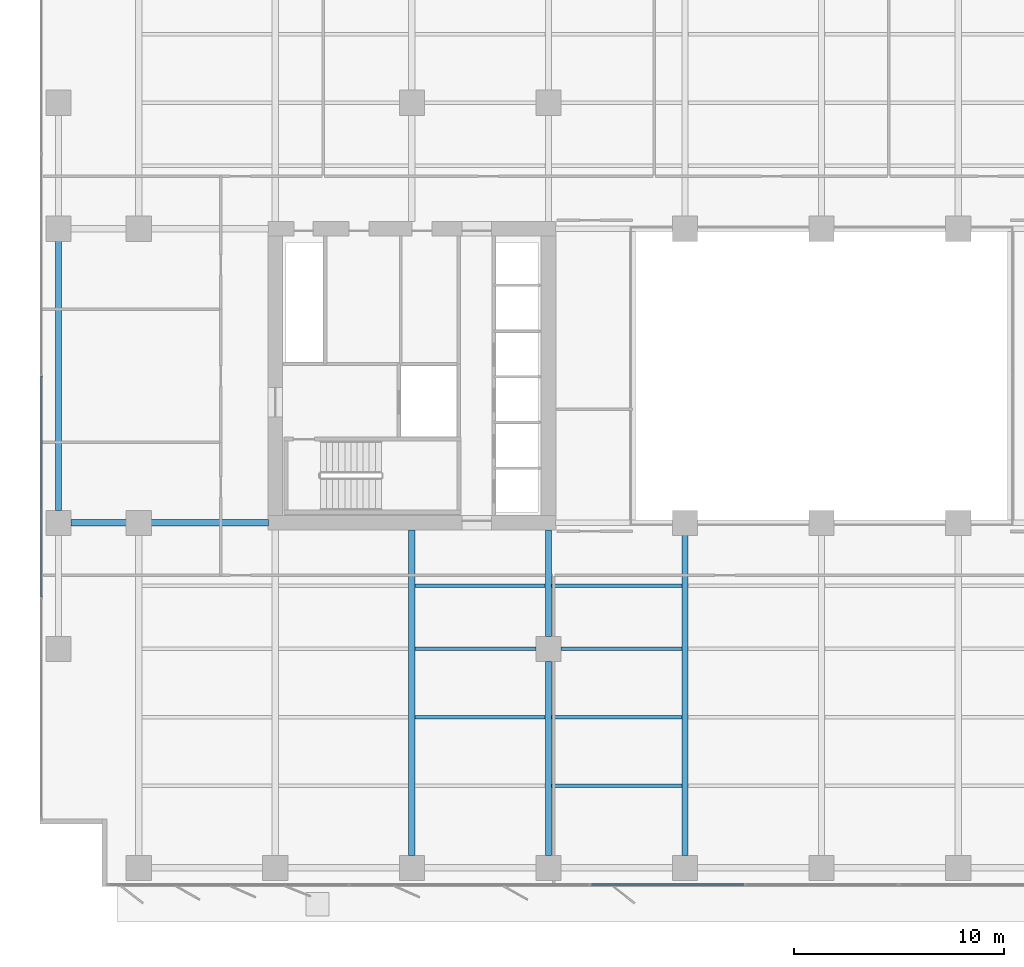
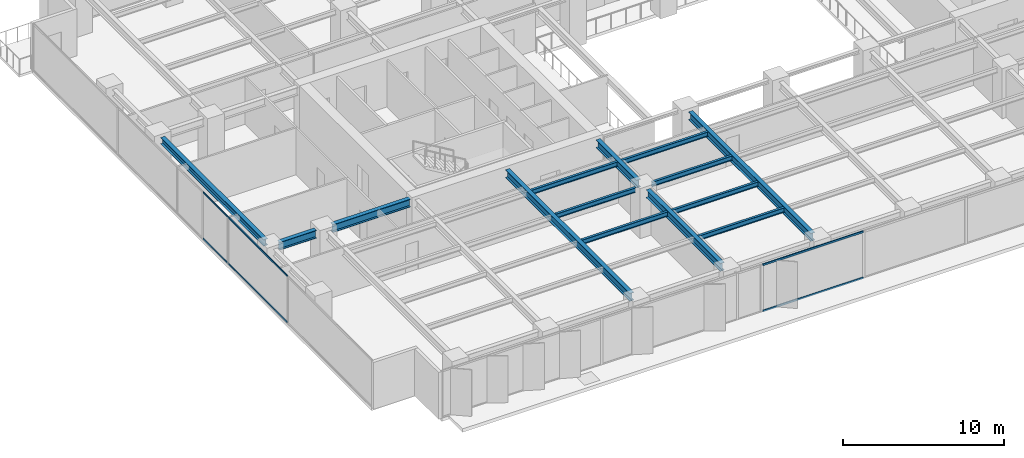
# One storey, part 3 of 19: 14 beams, 4 members, 2 elements without a shape of their own.
"""IFC4 building model written with IfcOpenShell, lengths in metres."""

from ifc_helpers import new_model, si_unit, direction, frame, origin, origin_2d, place, context, subcontext, project, spatial, rectangle, i_section, extrude, material, layer, layer_set, material_profile, profile_set, type_object, element, aggregate, save


model = new_model("IFC4")

# Units and contexts
model_context = context("Model", 3, precision=1e-05, world=origin(), true_north=direction((0.0, 1.0)))
body_context = subcontext(model_context, "Body", "Model", "MODEL_VIEW")
ifc_project = project(units=[si_unit("LENGTHUNIT", "METRE"), si_unit("AREAUNIT", "SQUARE_METRE"), si_unit("VOLUMEUNIT", "CUBIC_METRE"), si_unit("PLANEANGLEUNIT", "RADIAN"), si_unit("MASSUNIT", "GRAM", prefix="KILO")], contexts=[model_context])

# Site, building, storey
site_placement = place(None, origin())
site = spatial("IfcSite", under=ifc_project, at=site_placement, CompositionType="ELEMENT")
building_placement = place(site_placement, origin())
building = spatial("IfcBuilding", under=site, at=building_placement, Name="Putna Gate Headquarters", CompositionType="ELEMENT")
storey_placement = place(building_placement, frame((0.0, 0.0, 86.0)))
storey = spatial("IfcBuildingStorey", under=building, at=storey_placement, Name="L20", CompositionType="ELEMENT", Elevation=86.0)

# Beams
ifc_material_1 = material(Name="Steel S355J2", Category="steel")
ifc_material_profile_1 = material_profile(ifc_material_1, i_section(OverallWidth=0.300048828125, OverallDepth=0.60009765625, WebThickness=0.015380859375, FlangeThickness=0.030029296875, at=origin_2d()), Name="Steel S355J2")
ifc_profile_set_1 = profile_set([ifc_material_profile_1], Name="Steel S355J2")
beam_type_1 = type_object("IfcBeamType", Name="BM-GIRD-Z2-HEB600", PredefinedType="USERDEFINED", material=ifc_profile_set_1)
beam_1_placement = place(storey_placement, frame((3.26806640625, 19.0, 3.264892578125), z_axis=(1.0, 0.0, 0.0), x_axis=(0.0, 1.0, 0.0)))
element("IfcBeam", 1, at=beam_1_placement, inside=storey, type_object=beam_type_1, Name="L20 West Wing Girder Y19-1", ObjectType="GIRDER", PredefinedType="USERDEFINED", context=body_context, shape_type="SweptSolid", body=[
    extrude(i_section(OverallWidth=0.300048828125, OverallDepth=0.60009765625, WebThickness=0.015380859375, FlangeThickness=0.030029296875, at=origin_2d()), origin(), (0.0, 0.0, 1.0), 2.64404296875),
])
beam_2_placement = place(storey_placement, frame((7.087890625, 19.0, 3.264892578125), z_axis=(1.0, 0.0, 0.0), x_axis=(0.0, 1.0, 0.0)))
element("IfcBeam", 2, at=beam_2_placement, inside=storey, type_object=beam_type_1, Name="L20 West Wing Girder Y19-2", ObjectType="GIRDER", PredefinedType="USERDEFINED", context=body_context, shape_type="SweptSolid", body=[
    extrude(i_section(OverallWidth=0.300048828125, OverallDepth=0.60009765625, WebThickness=0.015380859375, FlangeThickness=0.030029296875, at=origin_2d()), origin(), (0.0, 0.0, 1.0), 5.5771484375),
])
beam_3_placement = place(storey_placement, frame((19.5, 3.16796875, 3.264892578125), z_axis=(0.0, 1.0, 0.0), x_axis=(-1.0, 0.0, 0.0)))
element("IfcBeam", 3, at=beam_3_placement, inside=storey, type_object=beam_type_1, Name="L20 South Primary Girder X19", ObjectType="GIRDER", PredefinedType="USERDEFINED", context=body_context, shape_type="SweptSolid", body=[
    extrude(i_section(OverallWidth=0.300048828125, OverallDepth=0.60009765625, WebThickness=0.015380859375, FlangeThickness=0.030029296875, at=origin_2d()), origin(), (0.0, 0.0, 1.0), 15.4970703125),
])
beam_4_placement = place(storey_placement, frame((26.0, 3.16796875, 3.264892578125), z_axis=(0.0, 1.0, 0.0), x_axis=(-1.0, 0.0, 0.0)))
element("IfcBeam", 4, at=beam_4_placement, inside=storey, type_object=beam_type_1, Name="L20 South Primary Girder X26-1", ObjectType="GIRDER", PredefinedType="USERDEFINED", context=body_context, shape_type="SweptSolid", body=[
    extrude(i_section(OverallWidth=0.300048828125, OverallDepth=0.60009765625, WebThickness=0.015380859375, FlangeThickness=0.030029296875, at=origin_2d()), origin(), (0.0, 0.0, 1.0), 9.244140625),
])
beam_5_placement = place(storey_placement, frame((26.0, 13.587890625, 3.264892578125), z_axis=(0.0, 1.0, 0.0), x_axis=(-1.0, 0.0, 0.0)))
element("IfcBeam", 5, at=beam_5_placement, inside=storey, type_object=beam_type_1, Name="L20 South Primary Girder X26-2", ObjectType="GIRDER", PredefinedType="USERDEFINED", context=body_context, shape_type="SweptSolid", body=[
    extrude(i_section(OverallWidth=0.300048828125, OverallDepth=0.60009765625, WebThickness=0.015380859375, FlangeThickness=0.030029296875, at=origin_2d()), origin(), (0.0, 0.0, 1.0), 5.0771484375),
])
beam_6_placement = place(storey_placement, frame((32.5, 3.16796875, 3.264892578125), z_axis=(0.0, 1.0, 0.0), x_axis=(-1.0, 0.0, 0.0)))
element("IfcBeam", 6, at=beam_6_placement, inside=storey, type_object=beam_type_1, Name="L20 South Primary Girder X32", ObjectType="GIRDER", PredefinedType="USERDEFINED", context=body_context, shape_type="SweptSolid", body=[
    extrude(i_section(OverallWidth=0.300048828125, OverallDepth=0.60009765625, WebThickness=0.015380859375, FlangeThickness=0.030029296875, at=origin_2d()), origin(), (0.0, 0.0, 1.0), 15.244140625),
])
ifc_material_profile_2 = material_profile(ifc_material_1, i_section(OverallWidth=0.169921875, OverallDepth=0.360107421875, WebThickness=0.008056640625, FlangeThickness=0.0126953125, at=origin_2d()), Name="Steel S355J2")
ifc_profile_set_2 = profile_set([ifc_material_profile_2], Name="Steel S355J2")
beam_type_2 = type_object("IfcBeamType", Name="BM-SEC-Z2-IPE360", PredefinedType="BEAM", material=ifc_profile_set_2)
beam_7_placement = place(storey_placement, frame((19.654052734375, 9.75, 3.385009765625), z_axis=(1.0, 0.0, 0.0), x_axis=(0.0, 1.0, 0.0)))
element("IfcBeam", 7, at=beam_7_placement, inside=storey, type_object=beam_type_2, Name="L20 South Secondary Beam 3", PredefinedType="BEAM", context=body_context, shape_type="SweptSolid", body=[
    extrude(i_section(OverallWidth=0.169921875, OverallDepth=0.360107421875, WebThickness=0.008056640625, FlangeThickness=0.0126953125, at=origin_2d()), origin(), (0.0, 0.0, 1.0), 6.19189453125),
])
beam_8_placement = place(storey_placement, frame((19.654052734375, 13.0, 3.385009765625), z_axis=(1.0, 0.0, 0.0), x_axis=(0.0, 1.0, 0.0)))
element("IfcBeam", 8, at=beam_8_placement, inside=storey, type_object=beam_type_2, Name="L20 South Secondary Beam 3", PredefinedType="BEAM", context=body_context, shape_type="SweptSolid", body=[
    extrude(i_section(OverallWidth=0.169921875, OverallDepth=0.360107421875, WebThickness=0.008056640625, FlangeThickness=0.0126953125, at=origin_2d()), origin(), (0.0, 0.0, 1.0), 5.758056640625),
])
for number, where, z_axis, x_axis, name in (
    (9, (19.654052734375, 16.0, 3.385009765625), (1.0, 0.0, 0.0), (0.0, 1.0, 0.0), "L20 South Secondary Beam 3"),
    (10, (26.154052734375, 6.5, 3.385009765625), (1.0, 0.0, 0.0), (0.0, 1.0, 0.0), "L20 South Secondary Beam 4"),
    (11, (26.154052734375, 9.75, 3.385009765625), (1.0, 0.0, 0.0), (0.0, 1.0, 0.0), "L20 South Secondary Beam 4"),
):
    element("IfcBeam", number, at=place(storey_placement, frame(where, z_axis=z_axis, x_axis=x_axis)), inside=storey, type_object=beam_type_2, Name=name, PredefinedType="BEAM", context=body_context, shape_type="SweptSolid", body=[
        extrude(i_section(OverallWidth=0.169921875, OverallDepth=0.360107421875, WebThickness=0.008056640625, FlangeThickness=0.0126953125, at=origin_2d()), origin(), (0.0, 0.0, 1.0), 6.19189453125),
    ])
beam_9_placement = place(storey_placement, frame((26.587890625, 13.0, 3.385009765625), z_axis=(1.0, 0.0, 0.0), x_axis=(0.0, 1.0, 0.0)))
element("IfcBeam", 12, at=beam_9_placement, inside=storey, type_object=beam_type_2, Name="L20 South Secondary Beam 4", PredefinedType="BEAM", context=body_context, shape_type="SweptSolid", body=[
    extrude(i_section(OverallWidth=0.169921875, OverallDepth=0.360107421875, WebThickness=0.008056640625, FlangeThickness=0.0126953125, at=origin_2d()), origin(), (0.0, 0.0, 1.0), 5.758056640625),
])
beam_10_placement = place(storey_placement, frame((26.154052734375, 16.0, 3.385009765625), z_axis=(1.0, 0.0, 0.0), x_axis=(0.0, 1.0, 0.0)))
element("IfcBeam", 13, at=beam_10_placement, inside=storey, type_object=beam_type_2, Name="L20 South Secondary Beam 4", PredefinedType="BEAM", context=body_context, shape_type="SweptSolid", body=[
    extrude(i_section(OverallWidth=0.169921875, OverallDepth=0.360107421875, WebThickness=0.008056640625, FlangeThickness=0.0126953125, at=origin_2d()), origin(), (0.0, 0.0, 1.0), 6.19189453125),
])
ifc_material_profile_3 = material_profile(ifc_material_1, i_section(OverallWidth=0.300048828125, OverallDepth=0.489990234375, WebThickness=0.011962890625, FlangeThickness=0.02294921875, at=origin_2d()), Name="Steel S355J2")
ifc_profile_set_3 = profile_set([ifc_material_profile_3], Name="Steel S355J2")
beam_type_3 = type_object("IfcBeamType", Name="BM-SPAN-Z2-HEA500", PredefinedType="SPANDREL", material=ifc_profile_set_3)
beam_11_placement = place(storey_placement, frame((2.679931640625, 19.587890625, 3.320068359375), z_axis=(0.0, 1.0, 0.0), x_axis=(-1.0, 0.0, 0.0)))
element("IfcBeam", 14, at=beam_11_placement, inside=storey, type_object=beam_type_3, Name="L20 W End Spandrel 2", PredefinedType="SPANDREL", context=body_context, shape_type="SweptSolid", body=[
    extrude(i_section(OverallWidth=0.300048828125, OverallDepth=0.489990234375, WebThickness=0.011962890625, FlangeThickness=0.02294921875, at=origin_2d()), origin(), (0.0, 0.0, 1.0), 12.82421875),
])

# Curtain wall, members
ifc_material_2 = material(Name="Anodised bronze aluminium curtain wall", Category="aluminium")
ifc_layer_1 = layer(ifc_material_2, 0.159912109375)
ifc_layer_set_1 = layer_set([ifc_layer_1], Name="Anodised bronze aluminium curtain wall")
curtain_wall_type_1 = type_object("IfcCurtainWallType", Name="CW-SYS-Z2", PredefinedType="USERDEFINED", material=ifc_layer_set_1)
curtain_wall_1_placement = place(storey_placement, origin())
curtain_wall_1 = element("IfcCurtainWall", 15, at=curtain_wall_1_placement, inside=storey, type_object=curtain_wall_type_1, Name="L20 West Curtain Wall", ObjectType="STICK CURTAIN WALL", PredefinedType="USERDEFINED")
ifc_material_3 = material(Name="Anodised bronze aluminium EN AW-6060", Category="aluminium")
ifc_material_profile_4 = material_profile(ifc_material_3, rectangle(XDim=0.06494140625, YDim=0.1201171875, at=origin_2d()), Name="Anodised bronze aluminium EN AW-6060")
ifc_profile_set_4 = profile_set([ifc_material_profile_4], Name="Anodised bronze aluminium EN AW-6060")
member_type_1 = type_object("IfcMemberType", Name="TRAN-CWT-2", PredefinedType="USERDEFINED", material=ifc_profile_set_4)
member_1_placement = place(storey_placement, frame((1.8798828125, 15.482421875, 0.032470703125), z_axis=(0.0, 1.0, 0.0), x_axis=(-1.0, 0.0, 0.0)))
member_1 = element("IfcMember", 16, at=member_1_placement, type_object=member_type_1, Name="CWS-2 transom 2.1", ObjectType="TRANSOM", PredefinedType="USERDEFINED", context=body_context, shape_type="SweptSolid", body=[
    extrude(rectangle(XDim=0.06494140625, YDim=0.1201171875, at=origin_2d()), origin(), (0.0, 0.0, 1.0), 10.485107421875),
])
member_2_placement = place(storey_placement, frame((1.8798828125, 15.482421875, 3.532470703125), z_axis=(0.0, 1.0, 0.0), x_axis=(-1.0, 0.0, 0.0)))
member_2 = element("IfcMember", 17, at=member_2_placement, type_object=member_type_1, Name="CWS-2 transom 2.2", ObjectType="TRANSOM", PredefinedType="USERDEFINED", context=body_context, shape_type="SweptSolid", body=[
    extrude(rectangle(XDim=0.06494140625, YDim=0.1201171875, at=origin_2d()), origin(), (0.0, 0.0, 1.0), 10.485107421875),
])
aggregate(curtain_wall_1, [member_1, member_2])

ifc_layer_2 = layer(ifc_material_2, 0.179931640625)
ifc_layer_set_2 = layer_set([ifc_layer_2], Name="Anodised bronze aluminium curtain wall")
curtain_wall_type_2 = type_object("IfcCurtainWallType", Name="CW-SYS-ATR", PredefinedType="USERDEFINED", material=ifc_layer_set_2)
curtain_wall_2_placement = place(storey_placement, origin())
curtain_wall_2 = element("IfcCurtainWall", 18, at=curtain_wall_2_placement, inside=storey, type_object=curtain_wall_type_2, Name="L20 South Atrium Clear Glazing", ObjectType="ATRIUM GLAZING", PredefinedType="USERDEFINED")
ifc_material_profile_5 = material_profile(ifc_material_3, rectangle(XDim=0.070068359375, YDim=0.139892578125, at=origin_2d()), Name="Anodised bronze aluminium EN AW-6060")
ifc_profile_set_5 = profile_set([ifc_material_profile_5], Name="Anodised bronze aluminium EN AW-6060")
member_type_2 = type_object("IfcMemberType", Name="TRAN-CWT-AT", PredefinedType="USERDEFINED", material=ifc_profile_set_5)
member_3_placement = place(storey_placement, frame((28.070068359375, 1.780029296875, 0.034912109375), z_axis=(1.0, 0.0, 0.0), x_axis=(0.0, 1.0, 0.0)))
member_3 = element("IfcMember", 19, at=member_3_placement, type_object=member_type_2, Name="CWS-AT transom 1.1", ObjectType="TRANSOM", PredefinedType="USERDEFINED", context=body_context, shape_type="SweptSolid", body=[
    extrude(rectangle(XDim=0.070068359375, YDim=0.139892578125, at=origin_2d()), origin(), (0.0, 0.0, 1.0), 7.228271484375),
])
member_4_placement = place(storey_placement, frame((28.070068359375, 1.780029296875, 3.530029296875), z_axis=(1.0, 0.0, 0.0), x_axis=(0.0, 1.0, 0.0)))
member_4 = element("IfcMember", 20, at=member_4_placement, type_object=member_type_2, Name="CWS-AT transom 1.2", ObjectType="TRANSOM", PredefinedType="USERDEFINED", context=body_context, shape_type="SweptSolid", body=[
    extrude(rectangle(XDim=0.070068359375, YDim=0.139892578125, at=origin_2d()), origin(), (0.0, 0.0, 1.0), 7.228271484375),
])
aggregate(curtain_wall_2, [member_3, member_4])

save(model, "model.ifc")
